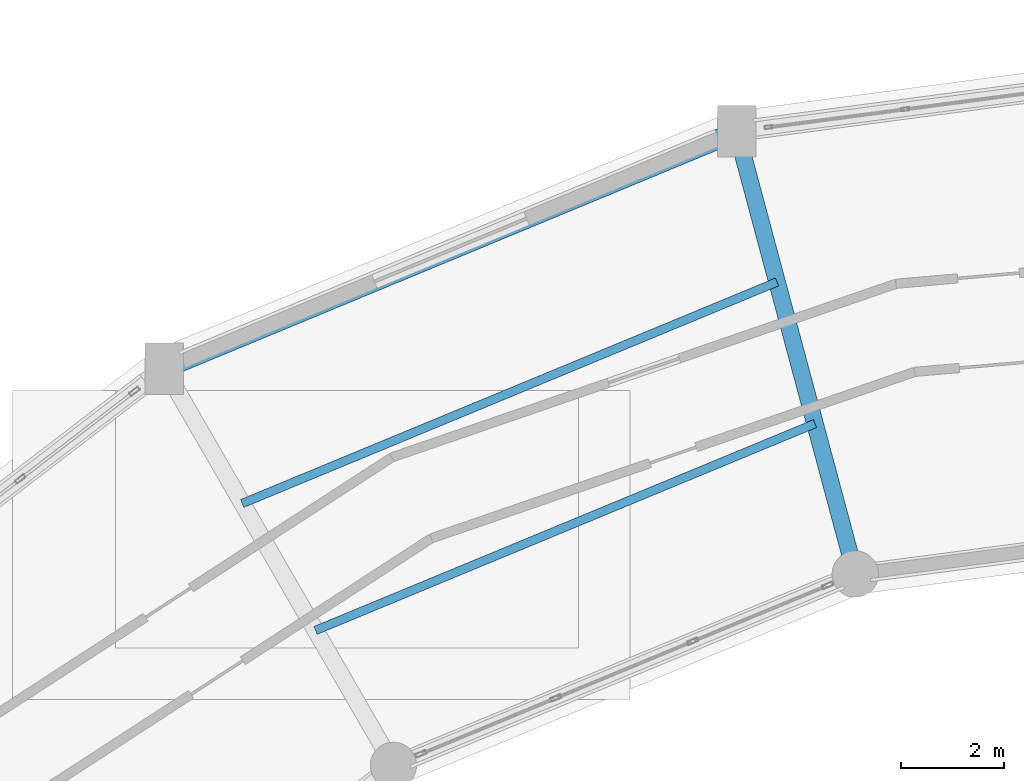
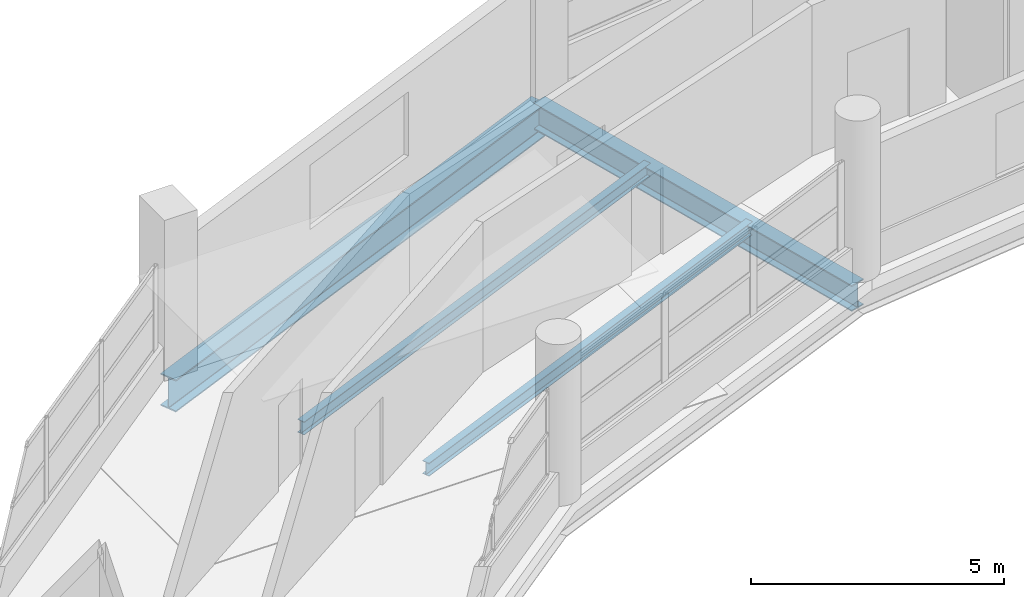
# One storey, part 41 of 88: 4 beams.
"""IFC4 building model written with IfcOpenShell, lengths in metres."""

from ifc_helpers import new_model, si_unit, direction, frame, origin, origin_2d, place, context, subcontext, project, spatial, i_section, extrude, material, material_profile, profile_set, type_object, element, save


model = new_model("IFC4")

# Units and contexts
model_context = context("Model", 3, precision=1e-05, world=origin(), true_north=direction((0.0, 1.0)))
body_context = subcontext(model_context, "Body", "Model", "MODEL_VIEW")
ifc_project = project(units=[si_unit("LENGTHUNIT", "METRE"), si_unit("AREAUNIT", "SQUARE_METRE"), si_unit("VOLUMEUNIT", "CUBIC_METRE"), si_unit("PLANEANGLEUNIT", "RADIAN"), si_unit("MASSUNIT", "GRAM", prefix="KILO")], contexts=[model_context])

# Site, building, storey
site_placement = place(None, origin())
site = spatial("IfcSite", under=ifc_project, at=site_placement, CompositionType="ELEMENT")
building_placement = place(site_placement, origin())
building = spatial("IfcBuilding", under=site, at=building_placement, Name="Vespera Passage Community Centre", CompositionType="ELEMENT")
storey_placement = place(building_placement, frame((0.0, 0.0, 16.5)))
storey = spatial("IfcBuildingStorey", under=building, at=storey_placement, Name="L04", CompositionType="ELEMENT", Elevation=16.5)

# Beams
ifc_material_1 = material(Name="Steel ASTM A992 Grade 50", Category="steel")
ifc_material_profile_1 = material_profile(ifc_material_1, i_section(OverallWidth=0.32763671875, OverallDepth=0.62841796875, WebThickness=0.0166015625, FlangeThickness=0.027587890625, FilletRadius=0.0126953125, at=origin_2d()), Name="W24X146")
ifc_profile_set_1 = profile_set([ifc_material_profile_1], Name="Steel ASTM A992 Grade 50")
beam_type_1 = type_object("IfcBeamType", Name="BM-G-W24X146", PredefinedType="BEAM", material=ifc_profile_set_1)
beam_1_placement = place(storey_placement, frame((68.371826171875, 101.432373046875, -0.6142578125), z_axis=(-0.258811497245, 0.9659278487, 0.0), x_axis=(-0.9659278487, -0.258811497245, 0.0)))
element("IfcBeam", 1, at=beam_1_placement, inside=storey, type_object=beam_type_1, Name="V4 L04 Radial Girder 7", PredefinedType="BEAM", context=body_context, shape_type="SweptSolid", body=[
    extrude(i_section(OverallWidth=0.32763671875, OverallDepth=0.62841796875, WebThickness=0.0166015625, FlangeThickness=0.027587890625, FilletRadius=0.0126953125, at=origin_2d()), origin(), (0.0, 0.0, 1.0), 8.900146484375),
])
ifc_material_2 = material(Name="Steel ASTM A992 Grade 50", Category="steel")
ifc_material_profile_2 = material_profile(ifc_material_2, i_section(OverallWidth=0.16650390625, OverallDepth=0.3173828125, WebThickness=0.007568359375, FlangeThickness=0.01318359375, FilletRadius=0.007568359375, at=origin_2d()), Name="W12X35")
ifc_profile_set_2 = profile_set([ifc_material_profile_2], Name="Steel ASTM A992 Grade 50")
beam_type_2 = type_object("IfcBeamType", Name="BM-J-W12X35", PredefinedType="JOIST", material=ifc_profile_set_2)
beam_2_placement = place(storey_placement, frame((67.588623046875, 104.355224609375, -0.458740234375), z_axis=(-0.92387968492, -0.382683064417, 0.0), x_axis=(0.382683064417, -0.92387968492, 0.0)))
element("IfcBeam", 2, at=beam_2_placement, inside=storey, type_object=beam_type_2, Name="V4 L04 Floor Joist 7.1", PredefinedType="JOIST", context=body_context, shape_type="SweptSolid", body=[
    extrude(i_section(OverallWidth=0.16650390625, OverallDepth=0.3173828125, WebThickness=0.007568359375, FlangeThickness=0.01318359375, FilletRadius=0.007568359375, at=origin_2d()), origin(), (0.0, 0.0, 1.0), 10.5009765625),
])
beam_3_placement = place(storey_placement, frame((66.8515625, 107.106201171875, -0.458740234375), z_axis=(-0.923884257257, -0.38267202562, 0.0), x_axis=(0.38267202562, -0.923884257257, 0.0)))
element("IfcBeam", 3, at=beam_3_placement, inside=storey, type_object=beam_type_2, Name="V4 L04 Floor Joist 7.2", PredefinedType="JOIST", context=body_context, shape_type="SweptSolid", body=[
    extrude(i_section(OverallWidth=0.16650390625, OverallDepth=0.3173828125, WebThickness=0.007568359375, FlangeThickness=0.01318359375, FilletRadius=0.007568359375, at=origin_2d()), origin(), (0.0, 0.0, 1.0), 11.24462890625),
])
ifc_material_3 = material(Name="Steel ASTM A992 Grade 50", Category="steel")
ifc_material_profile_3 = material_profile(ifc_material_3, i_section(OverallWidth=0.382080078125, OverallDepth=0.779296875, WebThickness=0.01806640625, FlangeThickness=0.030029296875, FilletRadius=0.0166015625, at=origin_2d()), Name="W30X191")
ifc_profile_set_3 = profile_set([ifc_material_profile_3], Name="Steel ASTM A992 Grade 50")
beam_type_3 = type_object("IfcBeamType", Name="BM-SP-W30X191E", PredefinedType="SPANDREL", material=ifc_profile_set_3)
beam_4_placement = place(storey_placement, frame((66.068359375, 110.029296875, -0.689697265625), z_axis=(-0.923877379647, -0.382688629799, 0.0), x_axis=(0.382688629799, -0.923877379647, 0.0)))
element("IfcBeam", 4, at=beam_4_placement, inside=storey, type_object=beam_type_3, Name="V4 L04 Outer Spandrel 7", PredefinedType="SPANDREL", context=body_context, shape_type="SweptSolid", body=[
    extrude(i_section(OverallWidth=0.382080078125, OverallDepth=0.779296875, WebThickness=0.01806640625, FlangeThickness=0.030029296875, FilletRadius=0.0166015625, at=origin_2d()), origin(), (0.0, 0.0, 1.0), 12.034423828125),
])

save(model, "model.ifc")
